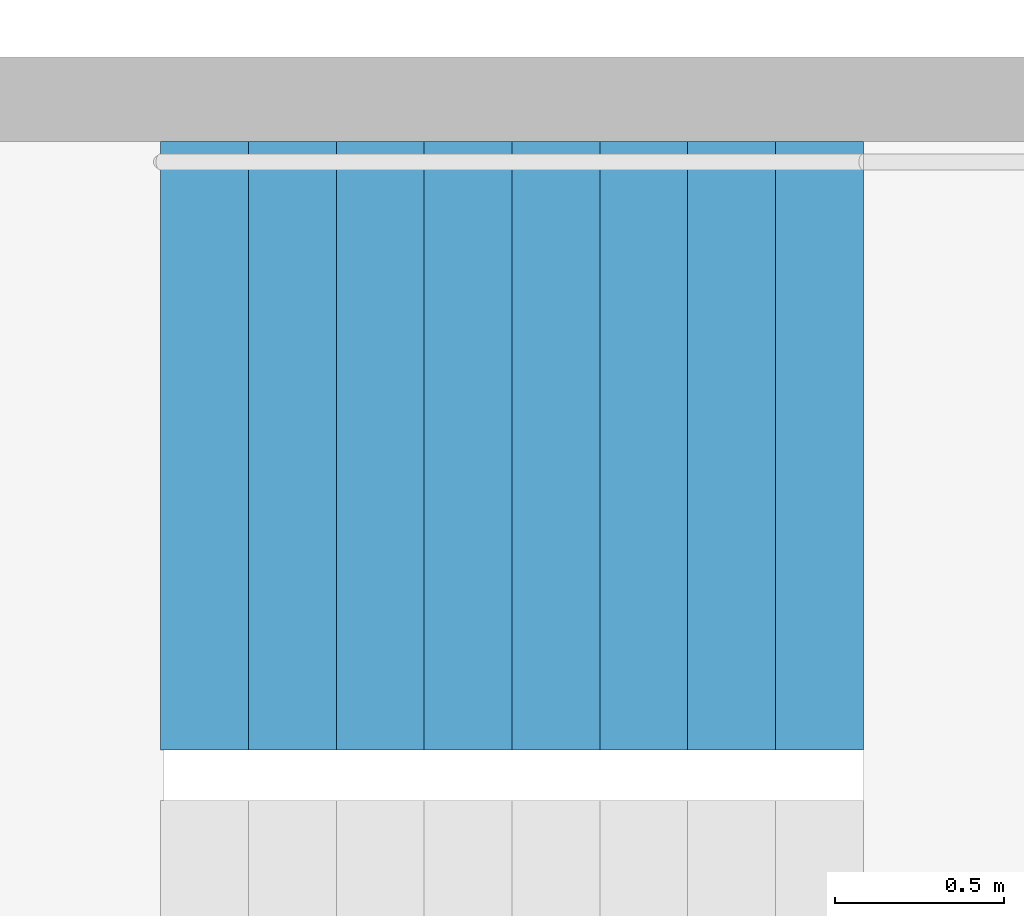
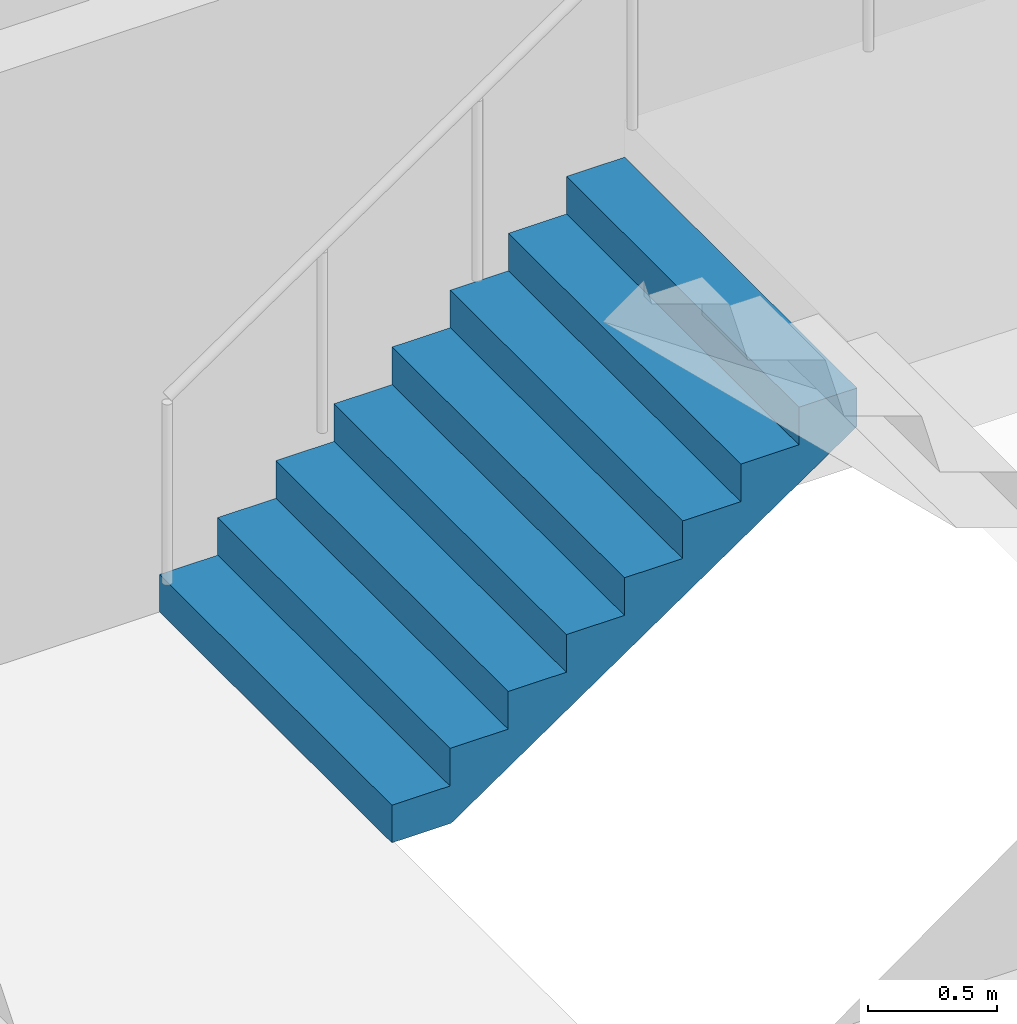
# One storey, part 26 of 29: 1 stair flight, 1 element without a shape of its own.
"""IFC4 building model written with IfcOpenShell, lengths in metres."""

from ifc_helpers import new_model, si_unit, direction, frame, origin, place, context, subcontext, project, spatial, triangles, material, type_object, element, aggregate, save


model = new_model("IFC4")

# Units and contexts
model_context = context("Model", 3, precision=1e-05, world=origin(), true_north=direction((0.0, 1.0)))
body_context = subcontext(model_context, "Body", "Model", "MODEL_VIEW")
ifc_project = project(units=[si_unit("LENGTHUNIT", "METRE"), si_unit("AREAUNIT", "SQUARE_METRE"), si_unit("VOLUMEUNIT", "CUBIC_METRE"), si_unit("PLANEANGLEUNIT", "RADIAN"), si_unit("MASSUNIT", "GRAM", prefix="KILO")], contexts=[model_context])

# Site, building, storey
site_placement = place(None, origin())
site = spatial("IfcSite", under=ifc_project, at=site_placement, CompositionType="ELEMENT")
building_placement = place(site_placement, origin())
building = spatial("IfcBuilding", under=site, at=building_placement, Name="Hakoniwa Tower and Hamabe Station Hall", CompositionType="ELEMENT")
storey_placement = place(building_placement, frame((0.0, 0.0, 45.39990234375)))
storey = spatial("IfcBuildingStorey", under=building, at=storey_placement, Name="L12", CompositionType="ELEMENT", Elevation=45.39990234375)

# Stair, stair flight
ifc_material_1 = material(Name="Concrete C40", Category="concrete")
stair_type = type_object("IfcStairType", Name="ESCAPE STAIR 1800", PredefinedType="HALF_TURN_STAIR", material=ifc_material_1)
stair_placement = place(storey_placement, origin())
stair = element("IfcStair", 1, at=stair_placement, inside=storey, type_object=stair_type, Name="Escape stair ST-4 L12", PredefinedType="HALF_TURN_STAIR")
ifc_material_2 = material(Name="Concrete C40", Category="concrete")
stair_flight_type = type_object("IfcStairFlightType", Name="STAIR FLIGHT 1800", PredefinedType="STRAIGHT", material=ifc_material_2)
stair_flight_placement = place(storey_placement, frame((23.39990234375, -4.64990234375, 0.0), z_axis=(0.0, 0.0, 1.0), x_axis=(1.0, 0.0, 0.0)))
stair_flight = element("IfcStairFlight", 2, at=stair_flight_placement, type_object=stair_flight_type, Name="ST-4 flight 1", NumberOfRisers=9, NumberOfTreads=8, PredefinedType="STRAIGHT", RiserHeight=0.177777778, TreadLength=0.26, context=body_context, shape_type="Tessellation", body=[
    triangles([(0.0, 0.89990234375, 0.0), (0.260009765625, 0.89990234375, 0.0), (0.265625, 0.89990234375, 0.0), (0.52001953125, 0.89990234375, 0.174072265625), (0.780029296875, 0.89990234375, 0.351806640625), (1.0400390625, 0.89990234375, 0.529541015625), (1.300048828125, 0.89990234375, 0.707275390625), (1.56005859375, 0.89990234375, 0.885009765625), (1.820068359375, 0.89990234375, 1.062744140625), (2.080078125, 0.89990234375, 1.24072265625), (2.080078125, 0.89990234375, 1.422119140625), (1.820068359375, 0.89990234375, 1.422119140625), (1.820068359375, 0.89990234375, 1.244384765625), (1.56005859375, 0.89990234375, 1.244384765625), (1.56005859375, 0.89990234375, 1.066650390625), (1.300048828125, 0.89990234375, 1.066650390625), (1.300048828125, 0.89990234375, 0.888916015625), (1.0400390625, 0.89990234375, 0.888916015625), (1.0400390625, 0.89990234375, 0.711181640625), (0.780029296875, 0.89990234375, 0.711181640625), (0.780029296875, 0.89990234375, 0.533447265625), (0.52001953125, 0.89990234375, 0.533447265625), (0.52001953125, 0.89990234375, 0.35546875), (0.265625, 0.89990234375, 0.35546875), (0.260009765625, 0.89990234375, 0.35546875), (0.260009765625, 0.89990234375, 0.177734375), (0.0, 0.89990234375, 0.177734375), (0.0, 0.06005859375, 0.0), (0.260009765625, 0.06005859375, 0.0), (0.265625, 0.06005859375, 0.0), (0.52001953125, 0.06005859375, 0.174072265625), (0.780029296875, 0.06005859375, 0.351806640625), (1.0400390625, 0.06005859375, 0.529541015625), (1.300048828125, 0.06005859375, 0.707275390625), (1.56005859375, 0.06005859375, 0.885009765625), (1.820068359375, 0.06005859375, 1.062744140625), (2.080078125, 0.06005859375, 1.24072265625), (2.080078125, 0.06005859375, 1.422119140625), (1.820068359375, 0.06005859375, 1.422119140625), (1.820068359375, 0.06005859375, 1.244384765625), (1.56005859375, 0.06005859375, 1.244384765625), (1.56005859375, 0.06005859375, 1.066650390625), (1.300048828125, 0.06005859375, 1.066650390625), (1.300048828125, 0.06005859375, 0.888916015625), (1.0400390625, 0.06005859375, 0.888916015625), (1.0400390625, 0.06005859375, 0.711181640625), (0.780029296875, 0.06005859375, 0.711181640625), (0.780029296875, 0.06005859375, 0.533447265625), (0.52001953125, 0.06005859375, 0.533447265625), (0.52001953125, 0.06005859375, 0.35546875), (0.265625, 0.06005859375, 0.35546875), (0.260009765625, 0.06005859375, 0.35546875), (0.260009765625, 0.06005859375, 0.177734375), (0.0, 0.06005859375, 0.177734375), (0.0, 0.04296875, 0.0), (0.260009765625, 0.04296875, 0.0), (0.265625, 0.04296875, 0.0), (0.52001953125, 0.04296875, 0.174072265625), (0.780029296875, 0.04296875, 0.351806640625), (1.0400390625, 0.04296875, 0.529541015625), (1.300048828125, 0.04296875, 0.707275390625), (1.56005859375, 0.04296875, 0.885009765625), (1.820068359375, 0.04296875, 1.062744140625), (2.080078125, 0.04296875, 1.24072265625), (2.080078125, 0.04296875, 1.422119140625), (1.820068359375, 0.04296875, 1.422119140625), (1.820068359375, 0.04296875, 1.244384765625), (1.56005859375, 0.04296875, 1.244384765625), (1.56005859375, 0.04296875, 1.066650390625), (1.300048828125, 0.04296875, 1.066650390625), (1.300048828125, 0.04296875, 0.888916015625), (1.0400390625, 0.04296875, 0.888916015625), (1.0400390625, 0.04296875, 0.711181640625), (0.780029296875, 0.04296875, 0.711181640625), (0.780029296875, 0.04296875, 0.533447265625), (0.52001953125, 0.04296875, 0.533447265625), (0.52001953125, 0.04296875, 0.35546875), (0.265625, 0.04296875, 0.35546875), (0.260009765625, 0.04296875, 0.35546875), (0.260009765625, 0.04296875, 0.177734375), (0.0, 0.04296875, 0.177734375), (0.0, 0.025634765625, 0.0), (0.260009765625, 0.025634765625, 0.0), (0.265625, 0.025634765625, 0.0), (0.52001953125, 0.025634765625, 0.174072265625), (0.780029296875, 0.025634765625, 0.351806640625), (1.0400390625, 0.025634765625, 0.529541015625), (1.300048828125, 0.025634765625, 0.707275390625), (1.56005859375, 0.025634765625, 0.885009765625), (1.820068359375, 0.025634765625, 1.062744140625), (2.080078125, 0.025634765625, 1.24072265625), (2.080078125, 0.025634765625, 1.422119140625), (1.820068359375, 0.025634765625, 1.422119140625), (1.820068359375, 0.025634765625, 1.244384765625), (1.56005859375, 0.025634765625, 1.244384765625), (1.56005859375, 0.025634765625, 1.066650390625), (1.300048828125, 0.025634765625, 1.066650390625), (1.300048828125, 0.025634765625, 0.888916015625), (1.0400390625, 0.025634765625, 0.888916015625), (1.0400390625, 0.025634765625, 0.711181640625), (0.780029296875, 0.025634765625, 0.711181640625), (0.780029296875, 0.025634765625, 0.533447265625), (0.52001953125, 0.025634765625, 0.533447265625), (0.52001953125, 0.025634765625, 0.35546875), (0.265625, 0.025634765625, 0.35546875), (0.260009765625, 0.025634765625, 0.35546875), (0.260009765625, 0.025634765625, 0.177734375), (0.0, 0.025634765625, 0.177734375), (0.0, 0.008544921875, 0.0), (0.260009765625, 0.008544921875, 0.0), (0.265625, 0.008544921875, 0.0), (0.52001953125, 0.008544921875, 0.174072265625), (0.780029296875, 0.008544921875, 0.351806640625), (1.0400390625, 0.008544921875, 0.529541015625), (1.300048828125, 0.008544921875, 0.707275390625), (1.56005859375, 0.008544921875, 0.885009765625), (1.820068359375, 0.008544921875, 1.062744140625), (2.080078125, 0.008544921875, 1.24072265625), (2.080078125, 0.008544921875, 1.422119140625), (1.820068359375, 0.008544921875, 1.422119140625), (1.820068359375, 0.008544921875, 1.244384765625), (1.56005859375, 0.008544921875, 1.244384765625), (1.56005859375, 0.008544921875, 1.066650390625), (1.300048828125, 0.008544921875, 1.066650390625), (1.300048828125, 0.008544921875, 0.888916015625), (1.0400390625, 0.008544921875, 0.888916015625), (1.0400390625, 0.008544921875, 0.711181640625), (0.780029296875, 0.008544921875, 0.711181640625), (0.780029296875, 0.008544921875, 0.533447265625), (0.52001953125, 0.008544921875, 0.533447265625), (0.52001953125, 0.008544921875, 0.35546875), (0.265625, 0.008544921875, 0.35546875), (0.260009765625, 0.008544921875, 0.35546875), (0.260009765625, 0.008544921875, 0.177734375), (0.0, 0.008544921875, 0.177734375), (0.0, -0.008544921875, 0.0), (0.260009765625, -0.008544921875, 0.0), (0.265625, -0.008544921875, 0.0), (0.52001953125, -0.008544921875, 0.174072265625), (0.780029296875, -0.008544921875, 0.351806640625), (1.0400390625, -0.008544921875, 0.529541015625), (1.300048828125, -0.008544921875, 0.707275390625), (1.56005859375, -0.008544921875, 0.885009765625), (1.820068359375, -0.008544921875, 1.062744140625), (2.080078125, -0.008544921875, 1.24072265625), (2.080078125, -0.008544921875, 1.422119140625), (1.820068359375, -0.008544921875, 1.422119140625), (1.820068359375, -0.008544921875, 1.244384765625), (1.56005859375, -0.008544921875, 1.244384765625), (1.56005859375, -0.008544921875, 1.066650390625), (1.300048828125, -0.008544921875, 1.066650390625), (1.300048828125, -0.008544921875, 0.888916015625), (1.0400390625, -0.008544921875, 0.888916015625), (1.0400390625, -0.008544921875, 0.711181640625), (0.780029296875, -0.008544921875, 0.711181640625), (0.780029296875, -0.008544921875, 0.533447265625), (0.52001953125, -0.008544921875, 0.533447265625), (0.52001953125, -0.008544921875, 0.35546875), (0.265625, -0.008544921875, 0.35546875), (0.260009765625, -0.008544921875, 0.35546875), (0.260009765625, -0.008544921875, 0.177734375), (0.0, -0.008544921875, 0.177734375), (0.0, -0.025634765625, 0.0), (0.260009765625, -0.025634765625, 0.0), (0.265625, -0.025634765625, 0.0), (0.52001953125, -0.025634765625, 0.174072265625), (0.780029296875, -0.025634765625, 0.351806640625), (1.0400390625, -0.025634765625, 0.529541015625), (1.300048828125, -0.025634765625, 0.707275390625), (1.56005859375, -0.025634765625, 0.885009765625), (1.820068359375, -0.025634765625, 1.062744140625), (2.080078125, -0.025634765625, 1.24072265625), (2.080078125, -0.025634765625, 1.422119140625), (1.820068359375, -0.025634765625, 1.422119140625), (1.820068359375, -0.025634765625, 1.244384765625), (1.56005859375, -0.025634765625, 1.244384765625), (1.56005859375, -0.025634765625, 1.066650390625), (1.300048828125, -0.025634765625, 1.066650390625), (1.300048828125, -0.025634765625, 0.888916015625), (1.0400390625, -0.025634765625, 0.888916015625), (1.0400390625, -0.025634765625, 0.711181640625), (0.780029296875, -0.025634765625, 0.711181640625), (0.780029296875, -0.025634765625, 0.533447265625), (0.52001953125, -0.025634765625, 0.533447265625), (0.52001953125, -0.025634765625, 0.35546875), (0.265625, -0.025634765625, 0.35546875), (0.260009765625, -0.025634765625, 0.35546875), (0.260009765625, -0.025634765625, 0.177734375), (0.0, -0.025634765625, 0.177734375), (0.0, -0.04296875, 0.0), (0.260009765625, -0.04296875, 0.0), (0.265625, -0.04296875, 0.0), (0.52001953125, -0.04296875, 0.174072265625), (0.780029296875, -0.04296875, 0.351806640625), (1.0400390625, -0.04296875, 0.529541015625), (1.300048828125, -0.04296875, 0.707275390625), (1.56005859375, -0.04296875, 0.885009765625), (1.820068359375, -0.04296875, 1.062744140625), (2.080078125, -0.04296875, 1.24072265625), (2.080078125, -0.04296875, 1.422119140625), (1.820068359375, -0.04296875, 1.422119140625), (1.820068359375, -0.04296875, 1.244384765625), (1.56005859375, -0.04296875, 1.244384765625), (1.56005859375, -0.04296875, 1.066650390625), (1.300048828125, -0.04296875, 1.066650390625), (1.300048828125, -0.04296875, 0.888916015625), (1.0400390625, -0.04296875, 0.888916015625), (1.0400390625, -0.04296875, 0.711181640625), (0.780029296875, -0.04296875, 0.711181640625), (0.780029296875, -0.04296875, 0.533447265625), (0.52001953125, -0.04296875, 0.533447265625), (0.52001953125, -0.04296875, 0.35546875), (0.265625, -0.04296875, 0.35546875), (0.260009765625, -0.04296875, 0.35546875), (0.260009765625, -0.04296875, 0.177734375), (0.0, -0.04296875, 0.177734375), (0.0, -0.06005859375, 0.0), (0.260009765625, -0.06005859375, 0.0), (0.265625, -0.06005859375, 0.0), (0.52001953125, -0.06005859375, 0.174072265625), (0.780029296875, -0.06005859375, 0.351806640625), (1.0400390625, -0.06005859375, 0.529541015625), (1.300048828125, -0.06005859375, 0.707275390625), (1.56005859375, -0.06005859375, 0.885009765625), (1.820068359375, -0.06005859375, 1.062744140625), (2.080078125, -0.06005859375, 1.24072265625), (2.080078125, -0.06005859375, 1.422119140625), (1.820068359375, -0.06005859375, 1.422119140625), (1.820068359375, -0.06005859375, 1.244384765625), (1.56005859375, -0.06005859375, 1.244384765625), (1.56005859375, -0.06005859375, 1.066650390625), (1.300048828125, -0.06005859375, 1.066650390625), (1.300048828125, -0.06005859375, 0.888916015625), (1.0400390625, -0.06005859375, 0.888916015625), (1.0400390625, -0.06005859375, 0.711181640625), (0.780029296875, -0.06005859375, 0.711181640625), (0.780029296875, -0.06005859375, 0.533447265625), (0.52001953125, -0.06005859375, 0.533447265625), (0.52001953125, -0.06005859375, 0.35546875), (0.265625, -0.06005859375, 0.35546875), (0.260009765625, -0.06005859375, 0.35546875), (0.260009765625, -0.06005859375, 0.177734375), (0.0, -0.06005859375, 0.177734375), (0.0, -0.89990234375, 0.0), (0.260009765625, -0.89990234375, 0.0), (0.265625, -0.89990234375, 0.0), (0.52001953125, -0.89990234375, 0.174072265625), (0.780029296875, -0.89990234375, 0.351806640625), (1.0400390625, -0.89990234375, 0.529541015625), (1.300048828125, -0.89990234375, 0.707275390625), (1.56005859375, -0.89990234375, 0.885009765625), (1.820068359375, -0.89990234375, 1.062744140625), (2.080078125, -0.89990234375, 1.24072265625), (2.080078125, -0.89990234375, 1.422119140625), (1.820068359375, -0.89990234375, 1.422119140625), (1.820068359375, -0.89990234375, 1.244384765625), (1.56005859375, -0.89990234375, 1.244384765625), (1.56005859375, -0.89990234375, 1.066650390625), (1.300048828125, -0.89990234375, 1.066650390625), (1.300048828125, -0.89990234375, 0.888916015625), (1.0400390625, -0.89990234375, 0.888916015625), (1.0400390625, -0.89990234375, 0.711181640625), (0.780029296875, -0.89990234375, 0.711181640625), (0.780029296875, -0.89990234375, 0.533447265625), (0.52001953125, -0.89990234375, 0.533447265625), (0.52001953125, -0.89990234375, 0.35546875), (0.265625, -0.89990234375, 0.35546875), (0.260009765625, -0.89990234375, 0.35546875), (0.260009765625, -0.89990234375, 0.177734375), (0.0, -0.89990234375, 0.177734375)], [[2, 27, 26], [245, 269, 270], [2, 1, 27], [245, 270, 244], [3, 25, 24], [246, 267, 268], [3, 26, 25], [246, 268, 269], [3, 2, 26], [246, 269, 245], [4, 24, 23], [247, 266, 267], [4, 3, 24], [247, 267, 246], [5, 22, 21], [248, 264, 265], [5, 23, 22], [248, 265, 266], [5, 4, 23], [248, 266, 247], [6, 20, 19], [249, 262, 263], [6, 21, 20], [249, 263, 264], [6, 5, 21], [249, 264, 248], [7, 18, 17], [250, 260, 261], [7, 19, 18], [250, 261, 262], [7, 6, 19], [250, 262, 249], [8, 16, 15], [251, 258, 259], [8, 17, 16], [251, 259, 260], [8, 7, 17], [251, 260, 250], [9, 14, 13], [252, 256, 257], [9, 15, 14], [252, 257, 258], [9, 8, 15], [252, 258, 251], [10, 12, 11], [253, 254, 255], [10, 13, 12], [253, 255, 256], [10, 9, 13], [253, 256, 252], [1, 2, 29], [1, 29, 28], [28, 29, 56], [28, 56, 55], [55, 56, 83], [55, 83, 82], [82, 83, 110], [82, 110, 109], [109, 110, 137], [109, 137, 136], [136, 137, 164], [136, 164, 163], [163, 164, 191], [163, 191, 190], [190, 191, 218], [190, 218, 217], [217, 218, 245], [217, 245, 244], [2, 3, 30], [2, 30, 29], [29, 30, 57], [29, 57, 56], [56, 57, 84], [56, 84, 83], [83, 84, 111], [83, 111, 110], [110, 111, 138], [110, 138, 137], [137, 138, 165], [137, 165, 164], [164, 165, 192], [164, 192, 191], [191, 192, 219], [191, 219, 218], [218, 219, 246], [218, 246, 245], [3, 4, 31], [3, 31, 30], [30, 31, 58], [30, 58, 57], [57, 58, 85], [57, 85, 84], [84, 85, 112], [84, 112, 111], [111, 112, 139], [111, 139, 138], [138, 139, 166], [138, 166, 165], [165, 166, 193], [165, 193, 192], [192, 193, 220], [192, 220, 219], [219, 220, 247], [219, 247, 246], [4, 5, 32], [4, 32, 31], [31, 32, 59], [31, 59, 58], [58, 59, 86], [58, 86, 85], [85, 86, 113], [85, 113, 112], [112, 113, 140], [112, 140, 139], [139, 140, 167], [139, 167, 166], [166, 167, 194], [166, 194, 193], [193, 194, 221], [193, 221, 220], [220, 221, 248], [220, 248, 247], [5, 6, 33], [5, 33, 32], [32, 33, 60], [32, 60, 59], [59, 60, 87], [59, 87, 86], [86, 87, 114], [86, 114, 113], [113, 114, 141], [113, 141, 140], [140, 141, 168], [140, 168, 167], [167, 168, 195], [167, 195, 194], [194, 195, 222], [194, 222, 221], [221, 222, 249], [221, 249, 248], [6, 7, 34], [6, 34, 33], [33, 34, 61], [33, 61, 60], [60, 61, 88], [60, 88, 87], [87, 88, 115], [87, 115, 114], [114, 115, 142], [114, 142, 141], [141, 142, 169], [141, 169, 168], [168, 169, 196], [168, 196, 195], [195, 196, 223], [195, 223, 222], [222, 223, 250], [222, 250, 249], [7, 8, 35], [7, 35, 34], [34, 35, 62], [34, 62, 61], [61, 62, 89], [61, 89, 88], [88, 89, 116], [88, 116, 115], [115, 116, 143], [115, 143, 142], [142, 143, 170], [142, 170, 169], [169, 170, 197], [169, 197, 196], [196, 197, 224], [196, 224, 223], [223, 224, 251], [223, 251, 250], [8, 9, 36], [8, 36, 35], [35, 36, 63], [35, 63, 62], [62, 63, 90], [62, 90, 89], [89, 90, 117], [89, 117, 116], [116, 117, 144], [116, 144, 143], [143, 144, 171], [143, 171, 170], [170, 171, 198], [170, 198, 197], [197, 198, 225], [197, 225, 224], [224, 225, 252], [224, 252, 251], [9, 10, 37], [9, 37, 36], [36, 37, 64], [36, 64, 63], [63, 64, 91], [63, 91, 90], [90, 91, 118], [90, 118, 117], [117, 118, 145], [117, 145, 144], [144, 145, 172], [144, 172, 171], [171, 172, 199], [171, 199, 198], [198, 199, 226], [198, 226, 225], [225, 226, 253], [225, 253, 252], [10, 11, 38], [10, 38, 37], [37, 38, 65], [37, 65, 64], [64, 65, 92], [64, 92, 91], [91, 92, 119], [91, 119, 118], [118, 119, 146], [118, 146, 145], [145, 146, 173], [145, 173, 172], [172, 173, 200], [172, 200, 199], [199, 200, 227], [199, 227, 226], [226, 227, 254], [226, 254, 253], [11, 12, 39], [11, 39, 38], [38, 39, 66], [38, 66, 65], [65, 66, 93], [65, 93, 92], [92, 93, 120], [92, 120, 119], [119, 120, 147], [119, 147, 146], [146, 147, 174], [146, 174, 173], [173, 174, 201], [173, 201, 200], [200, 201, 228], [200, 228, 227], [227, 228, 255], [227, 255, 254], [12, 13, 40], [12, 40, 39], [39, 40, 67], [39, 67, 66], [66, 67, 94], [66, 94, 93], [93, 94, 121], [93, 121, 120], [120, 121, 148], [120, 148, 147], [147, 148, 175], [147, 175, 174], [174, 175, 202], [174, 202, 201], [201, 202, 229], [201, 229, 228], [228, 229, 256], [228, 256, 255], [13, 14, 41], [13, 41, 40], [40, 41, 68], [40, 68, 67], [67, 68, 95], [67, 95, 94], [94, 95, 122], [94, 122, 121], [121, 122, 149], [121, 149, 148], [148, 149, 176], [148, 176, 175], [175, 176, 203], [175, 203, 202], [202, 203, 230], [202, 230, 229], [229, 230, 257], [229, 257, 256], [14, 15, 42], [14, 42, 41], [41, 42, 69], [41, 69, 68], [68, 69, 96], [68, 96, 95], [95, 96, 123], [95, 123, 122], [122, 123, 150], [122, 150, 149], [149, 150, 177], [149, 177, 176], [176, 177, 204], [176, 204, 203], [203, 204, 231], [203, 231, 230], [230, 231, 258], [230, 258, 257], [15, 16, 43], [15, 43, 42], [42, 43, 70], [42, 70, 69], [69, 70, 97], [69, 97, 96], [96, 97, 124], [96, 124, 123], [123, 124, 151], [123, 151, 150], [150, 151, 178], [150, 178, 177], [177, 178, 205], [177, 205, 204], [204, 205, 232], [204, 232, 231], [231, 232, 259], [231, 259, 258], [16, 17, 44], [16, 44, 43], [43, 44, 71], [43, 71, 70], [70, 71, 98], [70, 98, 97], [97, 98, 125], [97, 125, 124], [124, 125, 152], [124, 152, 151], [151, 152, 179], [151, 179, 178], [178, 179, 206], [178, 206, 205], [205, 206, 233], [205, 233, 232], [232, 233, 260], [232, 260, 259], [17, 18, 45], [17, 45, 44], [44, 45, 72], [44, 72, 71], [71, 72, 99], [71, 99, 98], [98, 99, 126], [98, 126, 125], [125, 126, 153], [125, 153, 152], [152, 153, 180], [152, 180, 179], [179, 180, 207], [179, 207, 206], [206, 207, 234], [206, 234, 233], [233, 234, 261], [233, 261, 260], [18, 19, 46], [18, 46, 45], [45, 46, 73], [45, 73, 72], [72, 73, 100], [72, 100, 99], [99, 100, 127], [99, 127, 126], [126, 127, 154], [126, 154, 153], [153, 154, 181], [153, 181, 180], [180, 181, 208], [180, 208, 207], [207, 208, 235], [207, 235, 234], [234, 235, 262], [234, 262, 261], [19, 20, 47], [19, 47, 46], [46, 47, 74], [46, 74, 73], [73, 74, 101], [73, 101, 100], [100, 101, 128], [100, 128, 127], [127, 128, 155], [127, 155, 154], [154, 155, 182], [154, 182, 181], [181, 182, 209], [181, 209, 208], [208, 209, 236], [208, 236, 235], [235, 236, 263], [235, 263, 262], [20, 21, 48], [20, 48, 47], [47, 48, 75], [47, 75, 74], [74, 75, 102], [74, 102, 101], [101, 102, 129], [101, 129, 128], [128, 129, 156], [128, 156, 155], [155, 156, 183], [155, 183, 182], [182, 183, 210], [182, 210, 209], [209, 210, 237], [209, 237, 236], [236, 237, 264], [236, 264, 263], [21, 22, 49], [21, 49, 48], [48, 49, 76], [48, 76, 75], [75, 76, 103], [75, 103, 102], [102, 103, 130], [102, 130, 129], [129, 130, 157], [129, 157, 156], [156, 157, 184], [156, 184, 183], [183, 184, 211], [183, 211, 210], [210, 211, 238], [210, 238, 237], [237, 238, 265], [237, 265, 264], [22, 23, 50], [22, 50, 49], [49, 50, 77], [49, 77, 76], [76, 77, 104], [76, 104, 103], [103, 104, 131], [103, 131, 130], [130, 131, 158], [130, 158, 157], [157, 158, 185], [157, 185, 184], [184, 185, 212], [184, 212, 211], [211, 212, 239], [211, 239, 238], [238, 239, 266], [238, 266, 265], [23, 24, 51], [23, 51, 50], [50, 51, 78], [50, 78, 77], [77, 78, 105], [77, 105, 104], [104, 105, 132], [104, 132, 131], [131, 132, 159], [131, 159, 158], [158, 159, 186], [158, 186, 185], [185, 186, 213], [185, 213, 212], [212, 213, 240], [212, 240, 239], [239, 240, 267], [239, 267, 266], [24, 25, 52], [24, 52, 51], [51, 52, 79], [51, 79, 78], [78, 79, 106], [78, 106, 105], [105, 106, 133], [105, 133, 132], [132, 133, 160], [132, 160, 159], [159, 160, 187], [159, 187, 186], [186, 187, 214], [186, 214, 213], [213, 214, 241], [213, 241, 240], [240, 241, 268], [240, 268, 267], [25, 26, 53], [25, 53, 52], [52, 53, 80], [52, 80, 79], [79, 80, 107], [79, 107, 106], [106, 107, 134], [106, 134, 133], [133, 134, 161], [133, 161, 160], [160, 161, 188], [160, 188, 187], [187, 188, 215], [187, 215, 214], [214, 215, 242], [214, 242, 241], [241, 242, 269], [241, 269, 268], [26, 27, 54], [26, 54, 53], [53, 54, 81], [53, 81, 80], [80, 81, 108], [80, 108, 107], [107, 108, 135], [107, 135, 134], [134, 135, 162], [134, 162, 161], [161, 162, 189], [161, 189, 188], [188, 189, 216], [188, 216, 215], [215, 216, 243], [215, 243, 242], [242, 243, 270], [242, 270, 269], [27, 1, 28], [27, 28, 54], [54, 28, 55], [54, 55, 81], [81, 55, 82], [81, 82, 108], [108, 82, 109], [108, 109, 135], [135, 109, 136], [135, 136, 162], [162, 136, 163], [162, 163, 189], [189, 163, 190], [189, 190, 216], [216, 190, 217], [216, 217, 243], [243, 217, 244], [243, 244, 270]], closed=True),
])
aggregate(stair, [stair_flight])

save(model, "model.ifc")
